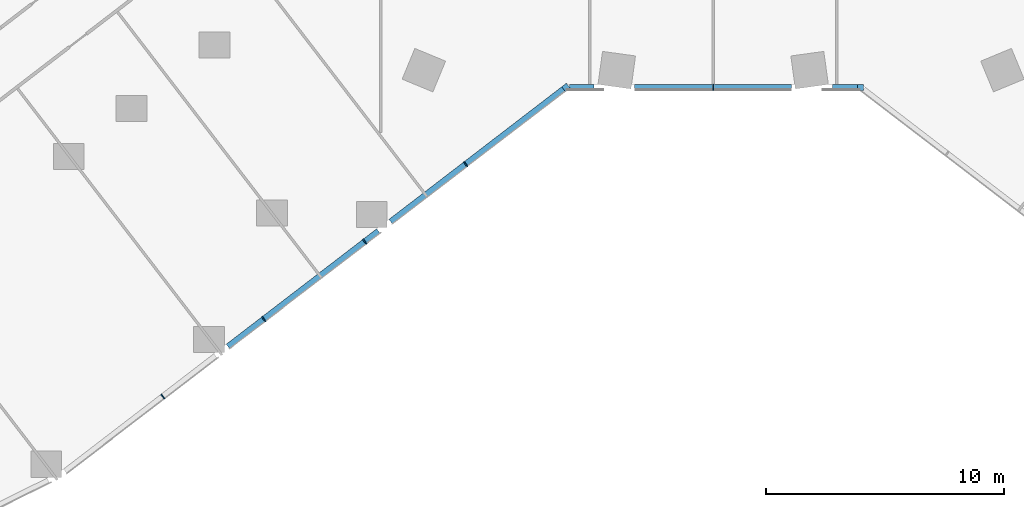
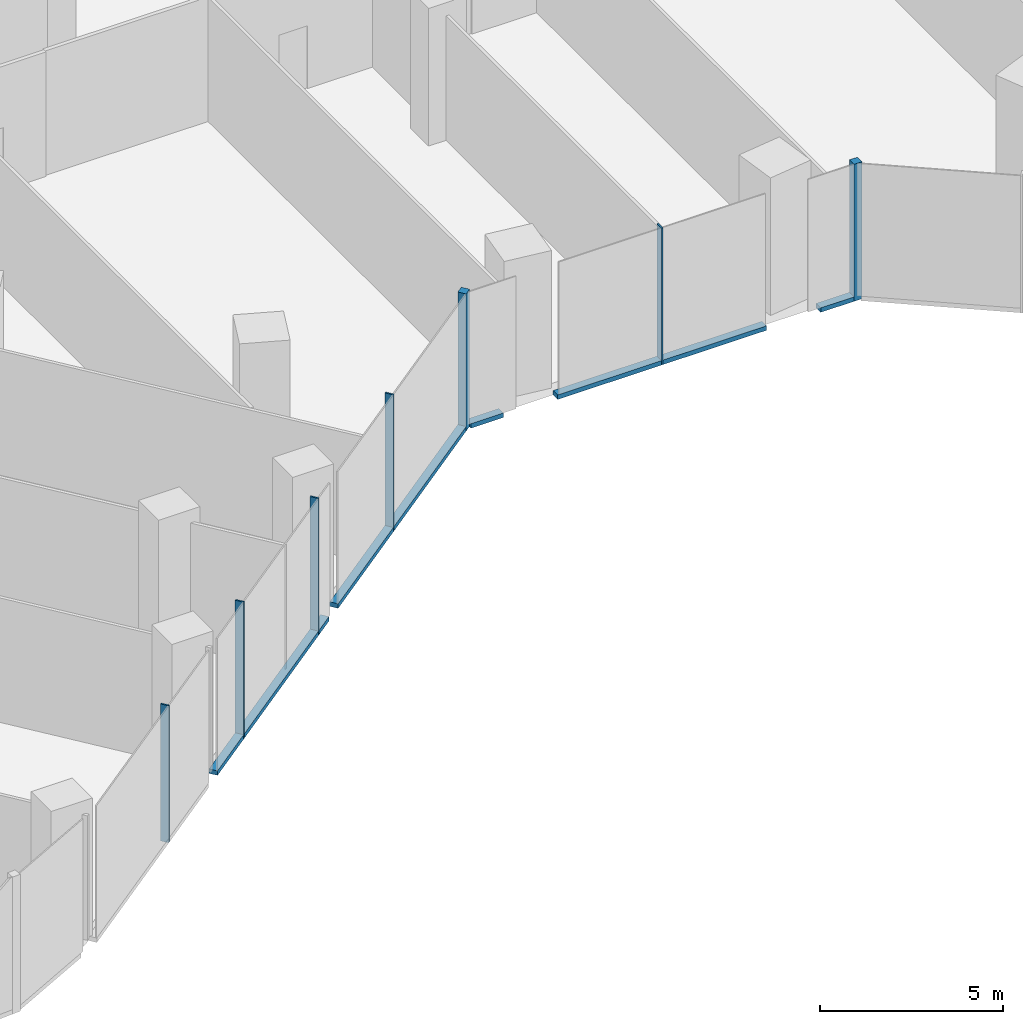
# One storey, part 4 of 30: 12 members, 2 elements without a shape of their own.
"""IFC4 building model written with IfcOpenShell, lengths in metres."""

from ifc_helpers import new_model, si_unit, direction, frame, origin, origin_2d, place, context, subcontext, project, spatial, rectangle, extrude, material, material_profile, profile_set, type_object, element, aggregate, save


model = new_model("IFC4")

# Units and contexts
model_context = context("Model", 3, precision=1e-05, world=origin(), true_north=direction((0.0, 1.0)))
body_context = subcontext(model_context, "Body", "Model", "MODEL_VIEW")
ifc_project = project(units=[si_unit("LENGTHUNIT", "METRE"), si_unit("AREAUNIT", "SQUARE_METRE"), si_unit("VOLUMEUNIT", "CUBIC_METRE"), si_unit("PLANEANGLEUNIT", "RADIAN"), si_unit("MASSUNIT", "GRAM", prefix="KILO")], contexts=[model_context])

# Site, building, storey
site_placement = place(None, origin())
site = spatial("IfcSite", under=ifc_project, at=site_placement, CompositionType="ELEMENT")
building_placement = place(site_placement, origin())
building = spatial("IfcBuilding", under=site, at=building_placement, Name="Orlundy Tower", CompositionType="ELEMENT")
storey_placement = place(building_placement, frame((0.0, 0.0, 20.5)))
storey = spatial("IfcBuildingStorey", under=building, at=storey_placement, Name="L03", CompositionType="ELEMENT", Elevation=20.5)

# Curtain wall, member
ifc_material_1 = material(Name="Aluminium bronze anodised", Category="aluminium")
curtain_wall_type = type_object("IfcCurtainWallType", Name="CW2 wall", PredefinedType="NOTDEFINED", material=ifc_material_1)
curtain_wall_1_placement = place(storey_placement, origin())
curtain_wall_1 = element("IfcCurtainWall", 1, at=curtain_wall_1_placement, inside=storey, type_object=curtain_wall_type, Name="CW2 run 01", PredefinedType="NOTDEFINED")
ifc_material_2 = material(Name="Aluminium bronze anodised", Category="aluminium")
ifc_material_profile_1 = material_profile(ifc_material_2, rectangle(XDim=0.25, YDim=0.25, at=origin_2d()), Name="CW2 corner post 250x250")
ifc_profile_set_1 = profile_set([ifc_material_profile_1], Name="Aluminium bronze anodised")
member_type_1 = type_object("IfcMemberType", Name="CW2 corner post 250x250", PredefinedType="MULLION", material=ifc_profile_set_1)
member_1_placement = place(storey_placement, frame((6.20068359375, -30.125, -0.39990234375), z_axis=(0.0, 0.0, 1.0), x_axis=(0.0, -1.0, 0.0)))
member_1 = element("IfcMember", 2, at=member_1_placement, type_object=member_type_1, Name="CW2 mullion 7", PredefinedType="MULLION", context=body_context, shape_type="SweptSolid", body=[
    extrude(rectangle(XDim=0.25, YDim=0.25, at=origin_2d()), origin(), (0.0, 0.0, 1.0), 4.579833984375),
])

curtain_wall_2_placement = place(storey_placement, origin())
curtain_wall_2 = element("IfcCurtainWall", 3, at=curtain_wall_2_placement, inside=storey, type_object=curtain_wall_type, Name="CW2 run 02", PredefinedType="NOTDEFINED")
member_2_placement = place(storey_placement, frame((-6.20068359375, -30.125, -0.39990234375), z_axis=(0.0, 0.0, 1.0), x_axis=(0.608763046543, -0.793352099111, 0.0)))
member_2 = element("IfcMember", 4, at=member_2_placement, type_object=member_type_1, Name="CW2 mullion 9", PredefinedType="MULLION", context=body_context, shape_type="SweptSolid", body=[
    extrude(rectangle(XDim=0.25, YDim=0.25, at=origin_2d()), origin(), (0.0, 0.0, 1.0), 4.579833984375),
])

# Member
ifc_material_3 = material(Name="Aluminium bronze anodised", Category="aluminium")
ifc_material_profile_2 = material_profile(ifc_material_3, rectangle(XDim=0.25, YDim=0.050048828125, at=origin_2d()), Name="CW2 mullion 50x250")
ifc_profile_set_2 = profile_set([ifc_material_profile_2], Name="Aluminium bronze anodised")
member_type_2 = type_object("IfcMemberType", Name="CW2 mullion 50x250", PredefinedType="MULLION", material=ifc_profile_set_2)
member_3_placement = place(storey_placement, frame((0.0, -30.125, -0.39990234375), z_axis=(0.0, 0.0, 1.0), x_axis=(0.0, -1.0, 0.0)))
member_3 = element("IfcMember", 5, at=member_3_placement, type_object=member_type_2, Name="CW2 mullion 8", PredefinedType="MULLION", context=body_context, shape_type="SweptSolid", body=[
    extrude(rectangle(XDim=0.25, YDim=0.050048828125, at=origin_2d()), origin(), (0.0, 0.0, 1.0), 4.579833984375),
])

member_4_placement = place(storey_placement, frame((-10.416748046875, -33.360107421875, -0.39990234375), z_axis=(0.0, 0.0, 1.0), x_axis=(0.608763046543, -0.793352099111, 0.0)))
member_4 = element("IfcMember", 6, at=member_4_placement, type_object=member_type_2, Name="CW2 mullion 10", PredefinedType="MULLION", context=body_context, shape_type="SweptSolid", body=[
    extrude(rectangle(XDim=0.25, YDim=0.050048828125, at=origin_2d()), origin(), (0.0, 0.0, 1.0), 4.579833984375),
])

member_5_placement = place(storey_placement, frame((-14.66650390625, -36.62109375, -0.39990234375), z_axis=(0.0, 0.0, 1.0), x_axis=(0.608763046543, -0.793352099111, 0.0)))
member_5 = element("IfcMember", 7, at=member_5_placement, type_object=member_type_2, Name="CW2 mullion 11", PredefinedType="MULLION", context=body_context, shape_type="SweptSolid", body=[
    extrude(rectangle(XDim=0.25, YDim=0.050048828125, at=origin_2d()), origin(), (0.0, 0.0, 1.0), 4.579833984375),
])

member_6_placement = place(storey_placement, frame((-18.916259765625, -39.882080078125, -0.39990234375), z_axis=(0.0, 0.0, 1.0), x_axis=(0.608763046543, -0.793352099111, 0.0)))
member_6 = element("IfcMember", 8, at=member_6_placement, type_object=member_type_2, Name="CW2 mullion 12", PredefinedType="MULLION", context=body_context, shape_type="SweptSolid", body=[
    extrude(rectangle(XDim=0.25, YDim=0.050048828125, at=origin_2d()), origin(), (0.0, 0.0, 1.0), 4.579833984375),
])

member_7_placement = place(storey_placement, frame((-23.166015625, -43.14306640625, -0.39990234375), z_axis=(0.0, 0.0, 1.0), x_axis=(0.608763046543, -0.793352099111, 0.0)))
member_7 = element("IfcMember", 9, at=member_7_placement, type_object=member_type_2, Name="CW2 mullion 13", PredefinedType="MULLION", context=body_context, shape_type="SweptSolid", body=[
    extrude(rectangle(XDim=0.25, YDim=0.050048828125, at=origin_2d()), origin(), (0.0, 0.0, 1.0), 4.579833984375),
])

ifc_material_4 = material(Name="Aluminium bronze anodised", Category="aluminium")
ifc_material_profile_3 = material_profile(ifc_material_4, rectangle(XDim=0.25, YDim=0.14990234375, at=origin_2d()), Name="CW2 transom 250x150")
ifc_profile_set_3 = profile_set([ifc_material_profile_3], Name="Aluminium bronze anodised")
member_type_3 = type_object("IfcMemberType", Name="CW2 transom 250x150", PredefinedType="USERDEFINED", material=ifc_profile_set_3)
member_8_placement = place(storey_placement, frame((6.07568359375, -30.125, -0.324951171875), z_axis=(-1.0, 0.0, 0.0), x_axis=(0.0, -1.0, 0.0)))
member_8 = element("IfcMember", 10, at=member_8_placement, type_object=member_type_3, Name="CW2 transom", ObjectType="TRANSOM", PredefinedType="USERDEFINED", context=body_context, shape_type="SweptSolid", body=[
    extrude(rectangle(XDim=0.25, YDim=0.14990234375, at=origin_2d()), origin(), (0.0, 0.0, 1.0), 1.05859375),
])

member_9_placement = place(storey_placement, frame((3.301025390625, -30.125, -0.324951171875), z_axis=(-1.0, 0.0, 0.0), x_axis=(0.0, -1.0, 0.0)))
member_9 = element("IfcMember", 11, at=member_9_placement, type_object=member_type_3, Name="CW2 transom", ObjectType="TRANSOM", PredefinedType="USERDEFINED", context=body_context, shape_type="SweptSolid", body=[
    extrude(rectangle(XDim=0.25, YDim=0.14990234375, at=origin_2d()), origin(), (0.0, 0.0, 1.0), 6.60205078125),
])

member_10_placement = place(storey_placement, frame((-5.01708984375, -30.125, -0.324951171875), z_axis=(-1.0, 0.0, 0.0), x_axis=(0.0, -1.0, 0.0)))
member_10 = element("IfcMember", 12, at=member_10_placement, type_object=member_type_3, Name="CW2 transom", ObjectType="TRANSOM", PredefinedType="USERDEFINED", context=body_context, shape_type="SweptSolid", body=[
    extrude(rectangle(XDim=0.25, YDim=0.14990234375, at=origin_2d()), origin(), (0.0, 0.0, 1.0), 1.02587890625),
])

aggregate(curtain_wall_1, [member_1, member_3, member_8, member_9, member_10])

member_11_placement = place(storey_placement, frame((-6.2998046875, -30.201171875, -0.324951171875), z_axis=(-0.793357195735, -0.608756404463, 0.0), x_axis=(0.608756404463, -0.793357195735, 0.0)))
member_11 = element("IfcMember", 13, at=member_11_placement, type_object=member_type_3, Name="CW2 transom", ObjectType="TRANSOM", PredefinedType="USERDEFINED", context=body_context, shape_type="SweptSolid", body=[
    extrude(rectangle(XDim=0.25, YDim=0.14990234375, at=origin_2d()), origin(), (0.0, 0.0, 1.0), 9.1650390625),
])

member_12_placement = place(storey_placement, frame((-14.091552734375, -36.179931640625, -0.324951171875), z_axis=(-0.793351608678, -0.608763685684, 0.0), x_axis=(0.608763685684, -0.793351608678, 0.0)))
member_12 = element("IfcMember", 14, at=member_12_placement, type_object=member_type_3, Name="CW2 transom", ObjectType="TRANSOM", PredefinedType="USERDEFINED", context=body_context, shape_type="SweptSolid", body=[
    extrude(rectangle(XDim=0.25, YDim=0.14990234375, at=origin_2d()), origin(), (0.0, 0.0, 1.0), 7.976806640625),
])

aggregate(curtain_wall_2, [member_2, member_4, member_5, member_6, member_7, member_11, member_12])

save(model, "model.ifc")
